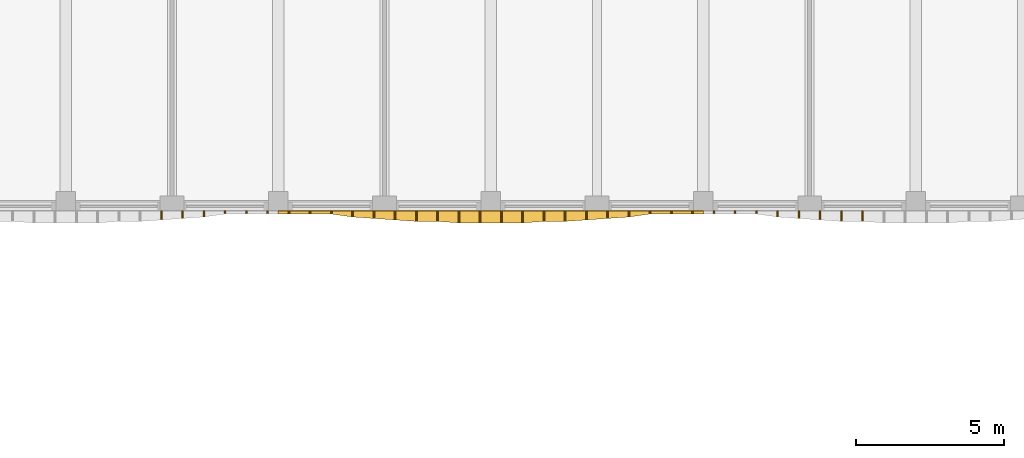
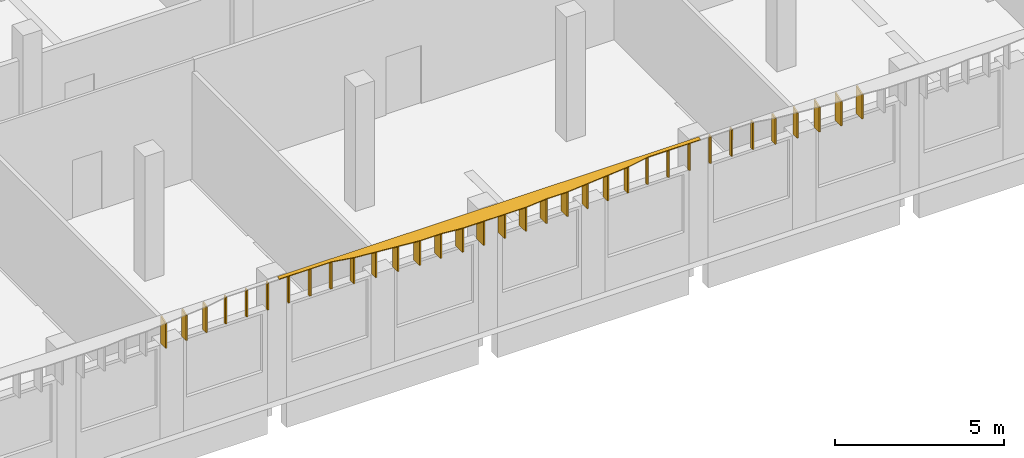
# One storey, part 41 of 54: 35 shading devices.
"""IFC4 building model written with IfcOpenShell, lengths in metres."""

from ifc_helpers import new_model, si_unit, direction, frame, origin, place, context, subcontext, project, spatial, polyline, outline, extrude, material, layer, layer_set, type_object, element, save


model = new_model("IFC4")

# Units and contexts
model_context = context("Model", 3, precision=1e-05, world=origin(), true_north=direction((0.0, 1.0)))
body_context = subcontext(model_context, "Body", "Model", "MODEL_VIEW")
ifc_project = project(units=[si_unit("LENGTHUNIT", "METRE"), si_unit("AREAUNIT", "SQUARE_METRE"), si_unit("VOLUMEUNIT", "CUBIC_METRE"), si_unit("PLANEANGLEUNIT", "RADIAN"), si_unit("MASSUNIT", "GRAM", prefix="KILO")], contexts=[model_context])

# Site, building, storey
site_placement = place(None, origin())
site = spatial("IfcSite", under=ifc_project, at=site_placement, CompositionType="ELEMENT")
building_placement = place(site_placement, origin())
building = spatial("IfcBuilding", under=site, at=building_placement, Name="Ussher Court Research Institute", CompositionType="ELEMENT")
storey_placement = place(building_placement, frame((0.0, 0.0, 14.39990234375)))
storey = spatial("IfcBuildingStorey", under=building, at=storey_placement, Name="L03", CompositionType="ELEMENT", Elevation=14.39990234375)

# Shading devices
ifc_material_1 = material(Name="Bronze anodised aluminium", Category="aluminium")
ifc_layer_1 = layer(ifc_material_1, 0.050048828125)
ifc_layer_set_1 = layer_set([ifc_layer_1], Name="Bronze anodised aluminium")
shading_device_type_1 = type_object("IfcShadingDeviceType", Name="Brim blade 100 mm deep 1000 mm high canted 20 deg dry", PredefinedType="USERDEFINED", material=ifc_layer_set_1)
for number, where, z_axis, x_axis, name in (
    (1, (55.199951171875, 68.39990234375, 3.4501953125), (0.0, 0.0, 1.0), (0.0, -1.0, 0.0), "Brim blade BS17 L03"),
    (2, (54.47998046875, 68.39990234375, 3.4501953125), (0.0, 0.0, 1.0), (0.0, -1.0, 0.0), "Brim blade BS17 L03"),
    (3, (53.760009765625, 68.39990234375, 3.4501953125), (0.0, 0.0, 1.0), (0.0, -1.0, 0.0), "Brim blade BS17 L03"),
    (4, (53.0400390625, 68.39990234375, 3.4501953125), (0.0, 0.0, 1.0), (0.0, -1.0, 0.0), "Brim blade BS17 L03"),
    (5, (52.320068359375, 68.39990234375, 3.4501953125), (0.0, 0.0, 1.0), (0.0, -1.0, 0.0), "Brim blade BS17 L03"),
    (6, (51.60009765625, 68.39990234375, 3.4501953125), (0.0, 0.0, 1.0), (0.0, -1.0, 0.0), "Brim blade BS17 L03"),
    (7, (40.800048828125, 68.39990234375, 3.4501953125), (0.0, 0.0, 1.0), (0.0, -1.0, 0.0), "Brim blade BS17 L03"),
    (8, (40.080078125, 68.39990234375, 3.4501953125), (0.0, 0.0, 1.0), (0.0, -1.0, 0.0), "Brim blade BS17 L03"),
    (9, (39.360107421875, 68.39990234375, 3.4501953125), (0.0, 0.0, 1.0), (0.0, -1.0, 0.0), "Brim blade BS17 L03"),
    (10, (38.639892578125, 68.39990234375, 3.4501953125), (0.0, 0.0, 1.0), (0.0, -1.0, 0.0), "Brim blade BS17 L03"),
    (11, (37.919921875, 68.39990234375, 3.4501953125), (0.0, 0.0, 1.0), (0.0, -1.0, 0.0), "Brim blade BS17 L03"),
    (12, (37.199951171875, 68.39990234375, 3.4501953125), (0.0, 0.0, 1.0), (0.0, -1.0, 0.0), "Brim blade BS17 L03"),
):
    element("IfcShadingDevice", number, at=place(storey_placement, frame(where, z_axis=z_axis, x_axis=x_axis)), inside=storey, type_object=shading_device_type_1, Name=name, ObjectType="BLADE", PredefinedType="USERDEFINED", context=body_context, shape_type="SweptSolid", body=[
        extrude(outline(polyline([(0.0, 0.0), (0.099853515625, 0.0), (0.10009765625, 0.963623046875), (0.0, 1.0), (0.0, 0.0)])), frame((0.0, 0.02490234375, 0.0), z_axis=(0.0, -1.0, 0.0), x_axis=(1.0, 0.0, 0.0)), (0.0, 0.0, 1.0), 0.050048828125),
    ])
ifc_material_2 = material(Name="Bronze anodised aluminium", Category="aluminium")
ifc_layer_2 = layer(ifc_material_2, 0.050048828125)
ifc_layer_set_2 = layer_set([ifc_layer_2], Name="Bronze anodised aluminium")
shading_device_type_2 = type_object("IfcShadingDeviceType", Name="Brim blade 200 mm deep 1000 mm high canted 20 deg dry", PredefinedType="USERDEFINED", material=ifc_layer_set_2)
for number, where, z_axis, x_axis, name in (
    (13, (55.919921875, 68.39990234375, 3.4501953125), (0.0, 0.0, 1.0), (0.0, -1.0, 0.0), "Brim blade BS15 L03"),
    (14, (50.8798828125, 68.39990234375, 3.4501953125), (0.0, 0.0, 1.0), (0.0, -1.0, 0.0), "Brim blade BS15 L03"),
    (15, (41.52001953125, 68.39990234375, 3.4501953125), (0.0, 0.0, 1.0), (0.0, -1.0, 0.0), "Brim blade BS15 L03"),
    (16, (36.47998046875, 68.39990234375, 3.4501953125), (0.0, 0.0, 1.0), (0.0, -1.0, 0.0), "Brim blade BS15 L03"),
):
    element("IfcShadingDevice", number, at=place(storey_placement, frame(where, z_axis=z_axis, x_axis=x_axis)), inside=storey, type_object=shading_device_type_2, Name=name, ObjectType="BLADE", PredefinedType="USERDEFINED", context=body_context, shape_type="SweptSolid", body=[
        extrude(outline(polyline([(0.0, 0.0), (0.199951171875, 0.0), (0.199951171875, 0.927001953125), (0.0, 1.0), (0.0, 0.0)])), frame((0.0, 0.02490234375, 0.0), z_axis=(0.0, -1.0, 0.0), x_axis=(1.0, 0.0, 0.0)), (0.0, 0.0, 1.0), 0.050048828125),
    ])
ifc_material_3 = material(Name="Bronze anodised aluminium", Category="aluminium")
ifc_layer_3 = layer(ifc_material_3, 0.050048828125)
ifc_layer_set_3 = layer_set([ifc_layer_3], Name="Bronze anodised aluminium")
shading_device_type_3 = type_object("IfcShadingDeviceType", Name="Brim blade 250 mm deep 1000 mm high canted 20 deg dry", PredefinedType="USERDEFINED", material=ifc_layer_set_3)
for number, where, z_axis, x_axis, name in (
    (17, (56.639892578125, 68.39990234375, 3.4501953125), (0.0, 0.0, 1.0), (0.0, -1.0, 0.0), "Brim blade BS14 L03"),
    (18, (50.159912109375, 68.39990234375, 3.4501953125), (0.0, 0.0, 1.0), (0.0, -1.0, 0.0), "Brim blade BS14 L03"),
    (19, (42.239990234375, 68.39990234375, 3.4501953125), (0.0, 0.0, 1.0), (0.0, -1.0, 0.0), "Brim blade BS14 L03"),
    (20, (35.760009765625, 68.39990234375, 3.4501953125), (0.0, 0.0, 1.0), (0.0, -1.0, 0.0), "Brim blade BS14 L03"),
):
    element("IfcShadingDevice", number, at=place(storey_placement, frame(where, z_axis=z_axis, x_axis=x_axis)), inside=storey, type_object=shading_device_type_3, Name=name, ObjectType="BLADE", PredefinedType="USERDEFINED", context=body_context, shape_type="SweptSolid", body=[
        extrude(outline(polyline([(0.0, 0.0), (0.25, 0.0), (0.25, 0.908935546875), (0.0, 1.0), (0.0, 0.0)])), frame((0.0, 0.02490234375, 0.0), z_axis=(0.0, -1.0, 0.0), x_axis=(1.0, 0.0, 0.0)), (0.0, 0.0, 1.0), 0.050048828125),
    ])
ifc_material_4 = material(Name="Bronze anodised aluminium", Category="aluminium")
ifc_layer_4 = layer(ifc_material_4, 0.050048828125)
ifc_layer_set_4 = layer_set([ifc_layer_4], Name="Bronze anodised aluminium")
shading_device_type_4 = type_object("IfcShadingDeviceType", Name="Brim blade 300 mm deep 1000 mm high canted 20 deg dry", PredefinedType="USERDEFINED", material=ifc_layer_set_4)
for number, where, z_axis, x_axis, name in (
    (21, (57.360107421875, 68.39990234375, 3.4501953125), (0.0, 0.0, 1.0), (0.0, -1.0, 0.0), "Brim blade BS13 L03"),
    (22, (49.43994140625, 68.39990234375, 3.4501953125), (0.0, 0.0, 1.0), (0.0, -1.0, 0.0), "Brim blade BS13 L03"),
    (23, (42.9599609375, 68.39990234375, 3.4501953125), (0.0, 0.0, 1.0), (0.0, -1.0, 0.0), "Brim blade BS13 L03"),
    (24, (35.0400390625, 68.39990234375, 3.4501953125), (0.0, 0.0, 1.0), (0.0, -1.0, 0.0), "Brim blade BS13 L03"),
):
    element("IfcShadingDevice", number, at=place(storey_placement, frame(where, z_axis=z_axis, x_axis=x_axis)), inside=storey, type_object=shading_device_type_4, Name=name, ObjectType="BLADE", PredefinedType="USERDEFINED", context=body_context, shape_type="SweptSolid", body=[
        extrude(outline(polyline([(0.0, 0.0), (0.2998046875, 0.0), (0.300048828125, 0.890625), (0.0, 1.0), (0.0, 0.0)])), frame((0.0, 0.02490234375, 0.0), z_axis=(0.0, -1.0, 0.0), x_axis=(1.0, 0.0, 0.0)), (0.0, 0.0, 1.0), 0.050048828125),
    ])
ifc_material_5 = material(Name="Bronze anodised aluminium", Category="aluminium")
ifc_layer_5 = layer(ifc_material_5, 0.050048828125)
ifc_layer_set_5 = layer_set([ifc_layer_5], Name="Bronze anodised aluminium")
shading_device_type_5 = type_object("IfcShadingDeviceType", Name="Brim blade 350 mm deep 1000 mm high canted 20 deg dry", PredefinedType="USERDEFINED", material=ifc_layer_set_5)
for number, where, z_axis, x_axis, name in (
    (25, (58.800048828125, 68.39990234375, 3.4501953125), (0.0, 0.0, 1.0), (0.0, -1.0, 0.0), "Brim blade BS12 L03"),
    (26, (58.080078125, 68.39990234375, 3.4501953125), (0.0, 0.0, 1.0), (0.0, -1.0, 0.0), "Brim blade BS12 L03"),
    (27, (48.719970703125, 68.39990234375, 3.4501953125), (0.0, 0.0, 1.0), (0.0, -1.0, 0.0), "Brim blade BS12 L03"),
    (28, (48.0, 68.39990234375, 3.4501953125), (0.0, 0.0, 1.0), (0.0, -1.0, 0.0), "Brim blade BS12 L03"),
    (29, (44.39990234375, 68.39990234375, 3.4501953125), (0.0, 0.0, 1.0), (0.0, -1.0, 0.0), "Brim blade BS12 L03"),
    (30, (43.679931640625, 68.39990234375, 3.4501953125), (0.0, 0.0, 1.0), (0.0, -1.0, 0.0), "Brim blade BS12 L03"),
):
    element("IfcShadingDevice", number, at=place(storey_placement, frame(where, z_axis=z_axis, x_axis=x_axis)), inside=storey, type_object=shading_device_type_5, Name=name, ObjectType="BLADE", PredefinedType="USERDEFINED", context=body_context, shape_type="SweptSolid", body=[
        extrude(outline(polyline([(0.0, 0.0), (0.349853515625, 0.0), (0.35009765625, 0.87255859375), (0.0, 1.0), (0.0, 0.0)])), frame((0.0, 0.02490234375, 0.0), z_axis=(0.0, -1.0, 0.0), x_axis=(1.0, 0.0, 0.0)), (0.0, 0.0, 1.0), 0.050048828125),
    ])
ifc_material_6 = material(Name="Bronze anodised aluminium", Category="aluminium")
ifc_layer_6 = layer(ifc_material_6, 0.050048828125)
ifc_layer_set_6 = layer_set([ifc_layer_6], Name="Bronze anodised aluminium")
shading_device_type_6 = type_object("IfcShadingDeviceType", Name="Brim blade 400 mm deep 1000 mm high canted 20 deg dry", PredefinedType="USERDEFINED", material=ifc_layer_set_6)
for number, where, z_axis, x_axis, name in (
    (31, (47.280029296875, 68.39990234375, 3.4501953125), (0.0, 0.0, 1.0), (0.0, -1.0, 0.0), "Brim blade BS11 L03"),
    (32, (46.56005859375, 68.39990234375, 3.4501953125), (0.0, 0.0, 1.0), (0.0, -1.0, 0.0), "Brim blade BS11 L03"),
    (33, (45.840087890625, 68.39990234375, 3.4501953125), (0.0, 0.0, 1.0), (0.0, -1.0, 0.0), "Brim blade BS11 L03"),
    (34, (45.1201171875, 68.39990234375, 3.4501953125), (0.0, 0.0, 1.0), (0.0, -1.0, 0.0), "Brim blade BS11 L03"),
):
    element("IfcShadingDevice", number, at=place(storey_placement, frame(where, z_axis=z_axis, x_axis=x_axis)), inside=storey, type_object=shading_device_type_6, Name=name, ObjectType="BLADE", PredefinedType="USERDEFINED", context=body_context, shape_type="SweptSolid", body=[
        extrude(outline(polyline([(0.0, 0.0), (0.39990234375, 0.0), (0.39990234375, 0.854248046875), (0.0, 1.0), (0.0, 0.0)])), frame((0.0, 0.02490234375, 0.0), z_axis=(0.0, -1.0, 0.0), x_axis=(1.0, 0.0, 0.0)), (0.0, 0.0, 1.0), 0.050048828125),
    ])
ifc_material_7 = material(Name="Bronze anodised aluminium", Category="aluminium")
ifc_layer_7 = layer(ifc_material_7, 0.0400390625)
ifc_layer_set_7 = layer_set([ifc_layer_7], Name="Bronze anodised aluminium")
shading_device_type_7 = type_object("IfcShadingDeviceType", Name="Brim visor sheet 40 mm canted 20 deg dry", PredefinedType="USERDEFINED", material=ifc_layer_set_7)
shading_device_placement = place(storey_placement, frame((53.39990234375, 68.38623046875, 4.48779296875), z_axis=(0.0, -0.342400477754, 0.939554103197), x_axis=(-1.0, 0.0, 0.0)))
element("IfcShadingDevice", 35, at=shading_device_placement, inside=storey, type_object=shading_device_type_7, Name="Brim visor sheet BR2 L03", ObjectType="BRIM", PredefinedType="USERDEFINED", context=body_context, shape_type="SweptSolid", body=[
    extrude(outline(polyline([(0.0, 0.0), (14.39990234375, 0.0), (14.39990234375, 0.10627326645332352), (14.039794921875, 0.10627326645332352), (13.31982421875, 0.10627326645332352), (12.599853515625, 0.10627326645332352), (11.8798828125, 0.21285951009926202), (11.159912109375, 0.26606903805559207), (10.43994140625, 0.31936215987856126), (9.719970703125, 0.3723423045089156), (9.0, 0.3723423045089156), (8.27978515625, 0.42563542633188484), (7.559814453125, 0.42563542633188484), (6.83984375, 0.42563542633188484), (6.119873046875, 0.42563542633188484), (5.39990234375, 0.3723423045089156), (4.679931640625, 0.3723423045089156), (3.9599609375, 0.31936215987856126), (3.239990234375, 0.26606903805559207), (2.52001953125, 0.21285951009926202), (1.7998046875, 0.10627326645332352), (1.079833984375, 0.10627326645332352), (0.35986328125, 0.10627326645332352), (0.0, 0.10627326645332352), (0.0, 0.0)])), origin(), (0.0, 0.0, -1.0), 0.0400390625),
])

save(model, "model.ifc")
